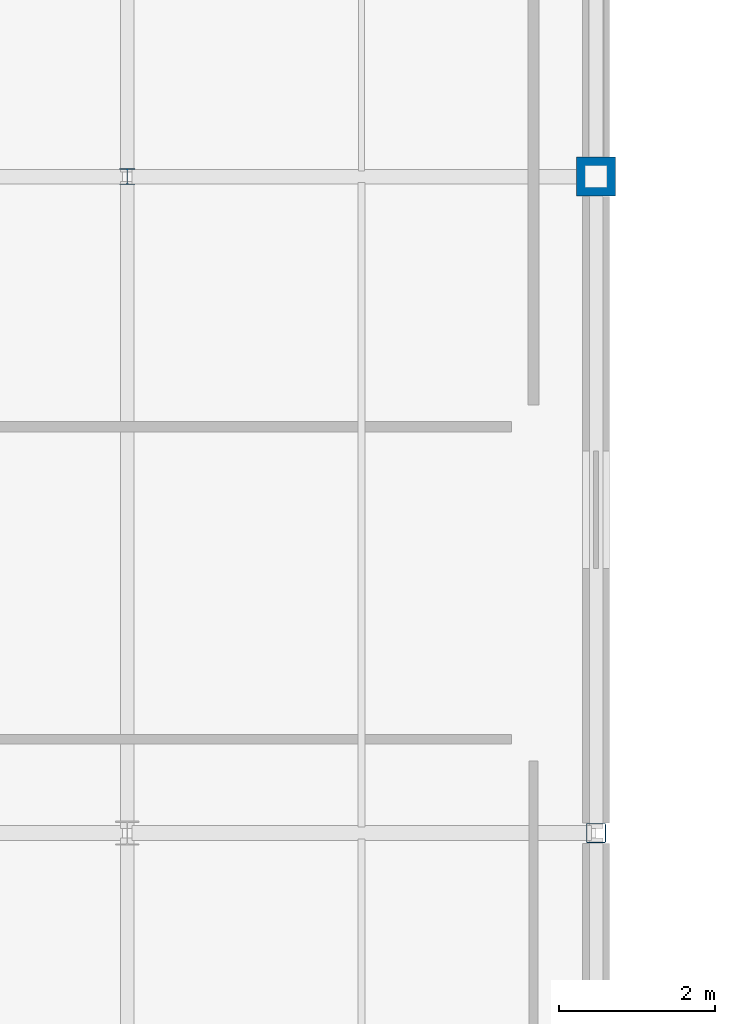
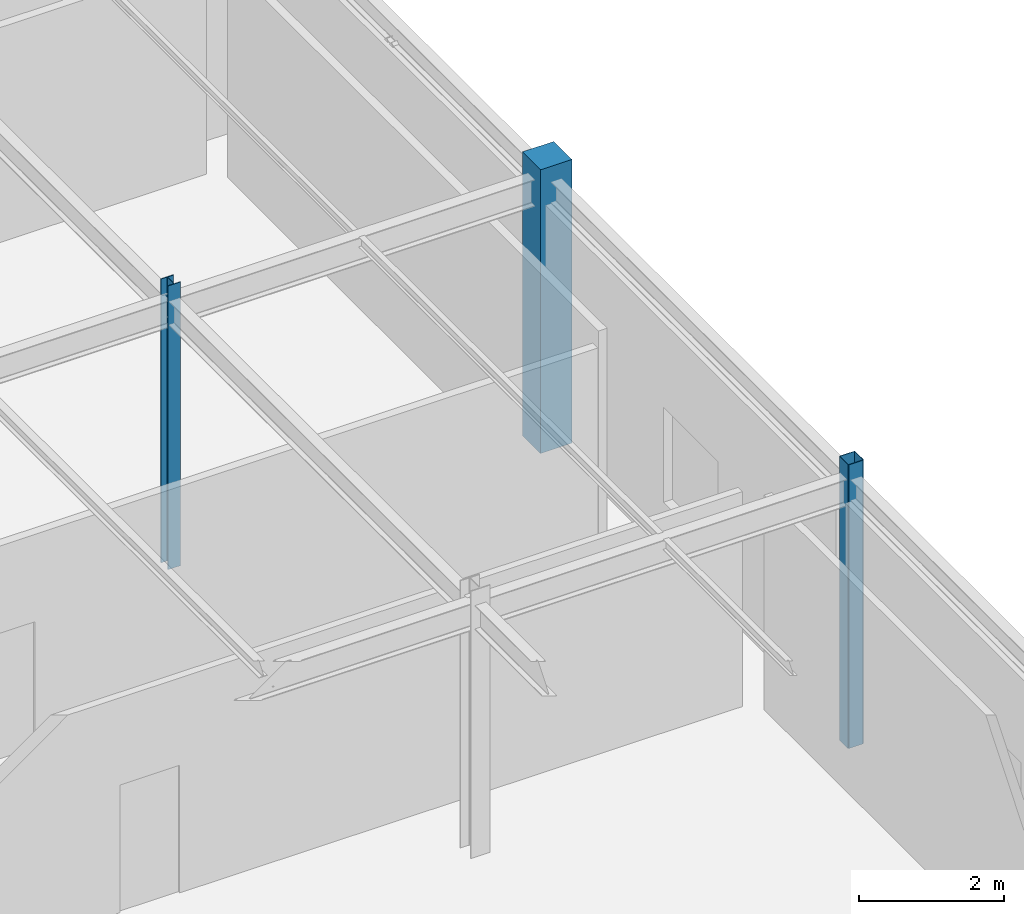
# One storey, part 41 of 119: 3 columns.
"""IFC4 building model written with IfcOpenShell, lengths in metres."""

from ifc_helpers import new_model, si_unit, derived_unit, direction, frame, origin, origin_2d_with_axis, place, context, subcontext, project, spatial, rectangle, hollow_rectangle, i_section, extrude, material, material_profile, profile_set, type_object, element, save


model = new_model("IFC4")

# Units and contexts
model_context = context("Model", 3, precision=1e-05, world=origin(), true_north=direction((0.0, 1.0)))
body_context = subcontext(model_context, "Body", "Model", "MODEL_VIEW")
ifc_project = project(units=[si_unit("LENGTHUNIT", "METRE"), si_unit("AREAUNIT", "SQUARE_METRE"), si_unit("VOLUMEUNIT", "CUBIC_METRE"), si_unit("PLANEANGLEUNIT", "RADIAN"), si_unit("MASSUNIT", "GRAM", prefix="KILO"), derived_unit("THERMALTRANSMITTANCEUNIT", [(si_unit("POWERUNIT", "WATT"), 1), (si_unit("LENGTHUNIT", "METRE"), -2), (si_unit("THERMODYNAMICTEMPERATUREUNIT", "KELVIN"), -1)])], contexts=[model_context])

# Site, building, storey
site_placement = place(None, origin())
site = spatial("IfcSite", under=ifc_project, at=site_placement, CompositionType="ELEMENT")
building_placement = place(site_placement, origin())
building = spatial("IfcBuilding", under=site, at=building_placement, Name="Cinnabar Yard Market Hall", CompositionType="ELEMENT")
storey_placement = place(building_placement, origin())
storey = spatial("IfcBuildingStorey", under=building, at=storey_placement, Name="L00", CompositionType="ELEMENT", Elevation=0.0)

# Columns
ifc_material_1 = material(Name="Steel Grade 300 (300 MPa)", Category="steel")
ifc_material_profile_1 = material_profile(ifc_material_1, i_section(OverallWidth=0.203369140625, OverallDepth=0.203369140625, WebThickness=0.00732421875, FlangeThickness=0.010986328125, FilletRadius=0.011474609375, at=origin_2d_with_axis()), Name="200UC46.2")
ifc_profile_set_1 = profile_set([ifc_material_profile_1], Name="Steel Grade 300 (300 MPa)")
column_type_1 = type_object("IfcColumnType", Name="COL-C13", PredefinedType="COLUMN", material=ifc_profile_set_1)
column_1_placement = place(storey_placement, frame((156.0, 129.60009765625, -0.280029296875), z_axis=(0.0, 0.0, 1.0), x_axis=(1.0, 0.0, 0.0)))
element("IfcColumn", 1, at=column_1_placement, inside=storey, type_object=column_type_1, Name="Wing Column V3-10-04 L00", PredefinedType="COLUMN", context=body_context, shape_type="SweptSolid", body=[
    extrude(i_section(OverallWidth=0.203369140625, OverallDepth=0.203369140625, WebThickness=0.00732421875, FlangeThickness=0.010986328125, FilletRadius=0.011474609375, at=origin_2d_with_axis()), origin(), (0.0, 0.0, 1.0), 4.780029296875),
])
ifc_material_2 = material(Name="Cold-formed steel C350L0", Category="steel")
ifc_material_profile_2 = material_profile(ifc_material_2, hollow_rectangle(XDim=0.25, YDim=0.25, WallThickness=0.009033203125, InnerFilletRadius=0.009033203125, OuterFilletRadius=0.01806640625, at=origin_2d_with_axis()), Name="250x250x9.0SHS")
ifc_profile_set_2 = profile_set([ifc_material_profile_2], Name="Cold-formed steel C350L0")
column_type_2 = type_object("IfcColumnType", Name="COL-C20E", PredefinedType="COLUMN", material=ifc_profile_set_2)
column_2_placement = place(storey_placement, frame((162.0, 121.199951171875, -0.280029296875), z_axis=(0.0, 0.0, 1.0), x_axis=(1.0, 0.0, 0.0)))
element("IfcColumn", 2, at=column_2_placement, inside=storey, type_object=column_type_2, Name="Wing Column V3-11-03 L00", PredefinedType="COLUMN", context=body_context, shape_type="SweptSolid", body=[
    extrude(hollow_rectangle(XDim=0.25, YDim=0.25, WallThickness=0.009033203125, InnerFilletRadius=0.009033203125, OuterFilletRadius=0.01806640625, at=origin_2d_with_axis()), origin(), (0.0, 0.0, 1.0), 4.780029296875),
])
ifc_material_3 = material(Name="Concrete 40 MPa", Category="concrete")
ifc_material_profile_3 = material_profile(ifc_material_3, rectangle(XDim=0.5, YDim=0.5, at=origin_2d_with_axis()), Name="RC-500x500")
ifc_profile_set_3 = profile_set([ifc_material_profile_3], Name="Concrete 40 MPa")
column_type_3 = type_object("IfcColumnType", Name="COL-RC1E", PredefinedType="COLUMN", material=ifc_profile_set_3)
column_3_placement = place(storey_placement, frame((162.0, 129.60009765625, -0.280029296875), z_axis=(0.0, 0.0, 1.0), x_axis=(1.0, 0.0, 0.0)))
element("IfcColumn", 3, at=column_3_placement, inside=storey, type_object=column_type_3, Name="Wing Column V3-11-04 L00", PredefinedType="COLUMN", context=body_context, shape_type="SweptSolid", body=[
    extrude(rectangle(XDim=0.5, YDim=0.5, at=origin_2d_with_axis()), origin(), (0.0, 0.0, 1.0), 4.780029296875),
])

save(model, "model.ifc")
